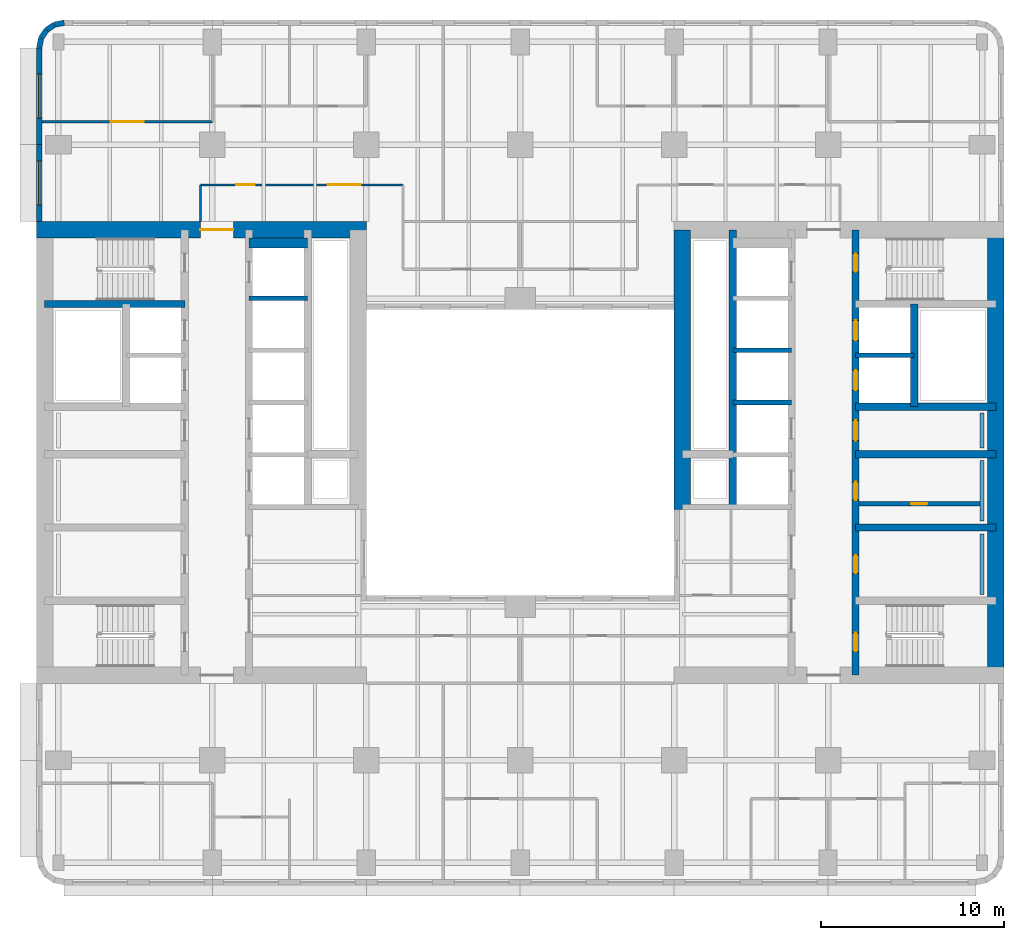
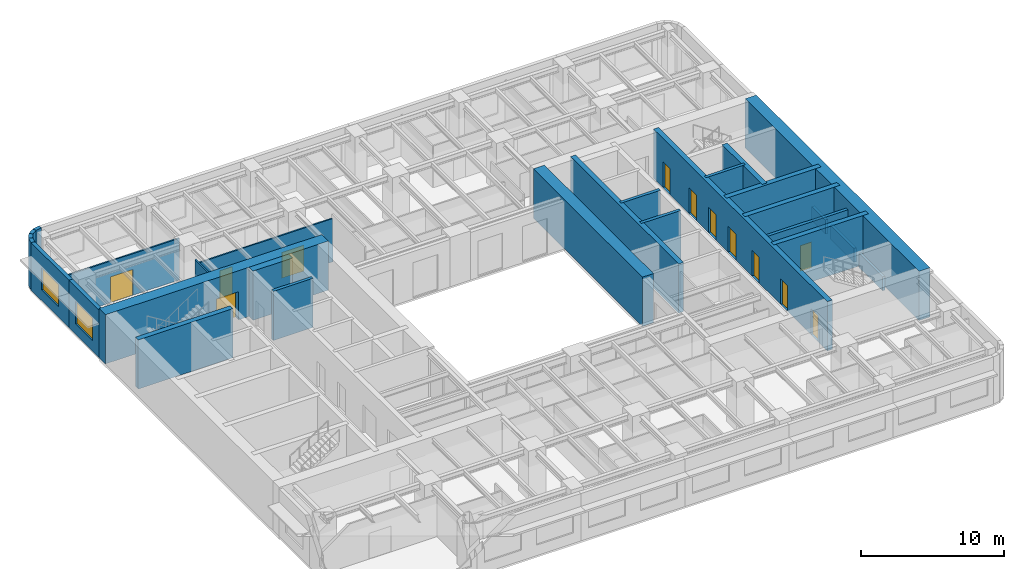
# One storey, part 6 of 11: 28 walls, 12 doors, 2 windows, 14 openings.
"""IFC4 building model written with IfcOpenShell, lengths in metres."""

from ifc_helpers import new_model, si_unit, direction, frame, frame_2d, origin, place, context, subcontext, project, spatial, rectangle, extrude, material, layer, layer_set, type_object, element, fill, save


model = new_model("IFC4")

# Units and contexts
model_context = context("Model", 3, precision=1e-05, world=origin(), true_north=direction((0.0, 1.0)))
body_context = subcontext(model_context, "Body", "Model", "MODEL_VIEW")
ifc_project = project(units=[si_unit("LENGTHUNIT", "METRE"), si_unit("AREAUNIT", "SQUARE_METRE"), si_unit("VOLUMEUNIT", "CUBIC_METRE"), si_unit("PLANEANGLEUNIT", "RADIAN"), si_unit("MASSUNIT", "GRAM", prefix="KILO")], contexts=[model_context])

# Site, building, storey
site_placement = place(None, origin())
site = spatial("IfcSite", under=ifc_project, at=site_placement, CompositionType="ELEMENT")
building_placement = place(site_placement, origin())
building = spatial("IfcBuilding", under=site, at=building_placement, Name="Claustro Exchange Tower", CompositionType="ELEMENT")
storey_placement = place(building_placement, frame((0.0, 0.0, 151.199951171875)))
storey = spatial("IfcBuildingStorey", under=building, at=storey_placement, Name="L34", CompositionType="ELEMENT", Elevation=151.199951171875)

# Wall, opening, door
ifc_material_1 = material(Name="Laminated glass in aluminium frame", Category="aluminium")
ifc_layer_1 = layer(ifc_material_1, 0.1201171875)
ifc_layer_set_1 = layer_set([ifc_layer_1], Name="Laminated glass in aluminium frame")
wall_type_1 = type_object("IfcWallType", Name="P2 120 glazed partition", PredefinedType="PARTITIONING", material=ifc_layer_set_1)
wall_1_placement = place(storey_placement, frame((-0.902099609375, 43.25, 0.0), z_axis=(0.0, 0.0, 1.0), x_axis=(1.0, 0.0, 0.0)))
wall_1 = element("IfcWall", 1, at=wall_1_placement, inside=storey, type_object=wall_type_1, Name="Partition P2 L34", PredefinedType="PARTITIONING", context=body_context, shape_type="SweptSolid", body=[
    extrude(rectangle(XDim=9.302001953125, YDim=0.1201171875, at=frame_2d((4.65087890625, 0.0))), origin(), (0.0, 0.0, 1.0), 3.550048828125),
])
opening_1_placement = place(wall_1_placement, frame((3.751953125, 0.0, 0.0)))
opening_1 = element("IfcOpeningElement", 2, at=opening_1_placement, cuts=wall_1, Name="Opening D2", PredefinedType="OPENING", context=body_context, shape_type="SweptSolid", body=[
    extrude(rectangle(XDim=1.800048828125, YDim=2.199951171875, at=frame_2d((0.89990234375, 1.10009765625))), frame((0.0, 0.070068359375, 0.0), z_axis=(0.0, -1.0, 0.0), x_axis=(1.0, 0.0, 0.0)), (0.0, 0.0, 1.0), 0.14013671875),
])
ifc_material_2 = material(Name="Timber door, oak veneer", Category="wood")
door_type_1 = type_object("IfcDoorType", Name="D2 1800 x 2200 double door", OperationType="DOUBLE_DOOR_SINGLE_SWING", PredefinedType="DOOR", material=ifc_material_2)
door_1_placement = place(opening_1_placement, origin())
door_1 = element("IfcDoor", 3, at=door_1_placement, inside=storey, type_object=door_type_1, Name="Double door D2 L34", OperationType="DOUBLE_DOOR_SINGLE_SWING", OverallHeight=2.199951171875, OverallWidth=1.800048828125, PredefinedType="DOOR", context=body_context, shape_type="SweptSolid", body=[
    extrude(rectangle(XDim=1.800048828125, YDim=2.199951171875, at=frame_2d((0.89990234375, 1.10009765625))), frame((0.0, 0.02490234375, 0.0), z_axis=(0.0, -1.0, 0.0), x_axis=(1.0, 0.0, 0.0)), (0.0, 0.0, 1.0), 0.050048828125),
])
fill(opening_1, door_1)

# Wall, openings, doors
wall_2_placement = place(storey_placement, frame((7.75, 39.800048828125, 0.0), z_axis=(0.0, 0.0, 1.0), x_axis=(1.0, 0.0, 0.0)))
wall_2 = element("IfcWall", 4, at=wall_2_placement, inside=storey, type_object=wall_type_1, Name="Partition P2 L34", PredefinedType="PARTITIONING", context=body_context, shape_type="SweptSolid", body=[
    extrude(rectangle(XDim=11.050048828125, YDim=0.1201171875, at=frame_2d((5.52490234375, 0.0))), origin(), (0.0, 0.0, 1.0), 3.68994140625),
])
opening_2_placement = place(wall_2_placement, frame((1.949951171875, 0.0, 0.0)))
opening_2 = element("IfcOpeningElement", 5, at=opening_2_placement, cuts=wall_2, Name="Opening D7", PredefinedType="OPENING", context=body_context, shape_type="SweptSolid", body=[
    extrude(rectangle(XDim=1.0, YDim=2.39990234375, at=frame_2d((0.5, 1.199951171875))), frame((0.0, 0.070068359375, 0.0), z_axis=(0.0, -1.0, 0.0), x_axis=(1.0, 0.0, 0.0)), (0.0, 0.0, 1.0), 0.14013671875),
])
opening_3_placement = place(wall_2_placement, frame((6.949951171875, 0.0, 0.0)))
opening_3 = element("IfcOpeningElement", 6, at=opening_3_placement, cuts=wall_2, Name="Opening D2", PredefinedType="OPENING", context=body_context, shape_type="SweptSolid", body=[
    extrude(rectangle(XDim=1.800048828125, YDim=2.199951171875, at=frame_2d((0.89990234375, 1.10009765625))), frame((0.0, 0.070068359375, 0.0), z_axis=(0.0, -1.0, 0.0), x_axis=(1.0, 0.0, 0.0)), (0.0, 0.0, 1.0), 0.14013671875),
])
door_2_placement = place(opening_3_placement, origin())
door_2 = element("IfcDoor", 7, at=door_2_placement, inside=storey, type_object=door_type_1, Name="Double door D2 L34", OperationType="DOUBLE_DOOR_SINGLE_SWING", OverallHeight=2.199951171875, OverallWidth=1.800048828125, PredefinedType="DOOR", context=body_context, shape_type="SweptSolid", body=[
    extrude(rectangle(XDim=1.800048828125, YDim=2.199951171875, at=frame_2d((0.89990234375, 1.10009765625))), frame((0.0, 0.02490234375, 0.0), z_axis=(0.0, -1.0, 0.0), x_axis=(1.0, 0.0, 0.0)), (0.0, 0.0, 1.0), 0.050048828125),
])
fill(opening_3, door_2)
ifc_material_3 = material(Name="Glass door in aluminium frame", Category="aluminium")
door_type_2 = type_object("IfcDoorType", Name="D7 1000 x 2400 glazed door", OperationType="SINGLE_SWING_LEFT", PredefinedType="DOOR", material=ifc_material_3)
door_3_placement = place(opening_2_placement, origin())
door_3 = element("IfcDoor", 8, at=door_3_placement, inside=storey, type_object=door_type_2, Name="Door D7 L34", OperationType="SINGLE_SWING_LEFT", OverallHeight=2.39990234375, OverallWidth=1.0, PredefinedType="DOOR", context=body_context, shape_type="SweptSolid", body=[
    extrude(rectangle(XDim=1.0, YDim=2.39990234375, at=frame_2d((0.5, 1.199951171875))), frame((0.0, 0.02490234375, 0.0), z_axis=(0.0, -1.0, 0.0), x_axis=(1.0, 0.0, 0.0)), (0.0, 0.0, 1.0), 0.050048828125),
])
fill(opening_2, door_3)

# Wall
wall_3_placement = place(storey_placement, frame((7.75, 37.800048828125, 0.0), z_axis=(0.0, 0.0, 1.0), x_axis=(0.0, 1.0, 0.0)))
element("IfcWall", 9, at=wall_3_placement, inside=storey, type_object=wall_type_1, Name="Partition P2 L34", PredefinedType="PARTITIONING", context=body_context, shape_type="SweptSolid", body=[
    extrude(rectangle(XDim=2.0, YDim=0.1201171875, at=frame_2d((1.0, 0.0))), origin(), (0.0, 0.0, 1.0), 4.050048828125),
])

# Wall, opening, door
ifc_material_4 = material(Name="Concrete blockwork, rendered", Category="masonry")
ifc_layer_2 = layer(ifc_material_4, 0.25)
ifc_layer_set_2 = layer_set([ifc_layer_2], Name="Concrete blockwork, rendered")
wall_type_2 = type_object("IfcWallType", Name="P4 250 blockwork wall", PredefinedType="PARTITIONING", material=ifc_layer_set_2)
wall_4_placement = place(storey_placement, frame((43.699951171875, 22.39990234375, 0.0), z_axis=(0.0, 0.0, 1.0), x_axis=(1.0, 0.0, 0.0)))
wall_4 = element("IfcWall", 10, at=wall_4_placement, inside=storey, type_object=wall_type_2, Name="Partition P4 L34", PredefinedType="PARTITIONING", context=body_context, shape_type="SweptSolid", body=[
    extrude(rectangle(XDim=6.60009765625, YDim=0.25, at=frame_2d((3.300048828125, 0.0))), origin(), (0.0, 0.0, 1.0), 4.0),
])
opening_4_placement = place(wall_4_placement, frame((2.824951171875, 0.0, 0.0)))
opening_4 = element("IfcOpeningElement", 11, at=opening_4_placement, cuts=wall_4, Name="Opening D5", PredefinedType="OPENING", context=body_context, shape_type="SweptSolid", body=[
    extrude(rectangle(XDim=0.89990234375, YDim=2.199951171875, at=frame_2d((0.449951171875, 1.10009765625))), frame((0.0, 0.135009765625, 0.0), z_axis=(0.0, -1.0, 0.0), x_axis=(1.0, 0.0, 0.0)), (0.0, 0.0, 1.0), 0.27001953125),
])
ifc_material_5 = material(Name="Steel door, painted", Category="steel")
door_type_3 = type_object("IfcDoorType", Name="D5 900 x 2200 store door", OperationType="SINGLE_SWING_LEFT", PredefinedType="DOOR", material=ifc_material_5)
door_4_placement = place(opening_4_placement, frame((0.89990234375, 0.0, 0.0), z_axis=(0.0, 0.0, 1.0), x_axis=(-1.0, 0.0, 0.0)))
door_4 = element("IfcDoor", 12, at=door_4_placement, inside=storey, type_object=door_type_3, Name="Store door D5 L34", OperationType="SINGLE_SWING_LEFT", OverallHeight=2.199951171875, OverallWidth=0.89990234375, PredefinedType="DOOR", context=body_context, shape_type="SweptSolid", body=[
    extrude(rectangle(XDim=0.89990234375, YDim=2.199951171875, at=frame_2d((0.449951171875, 1.10009765625))), frame((0.0, 0.02490234375, 0.0), z_axis=(0.0, -1.0, 0.0), x_axis=(1.0, 0.0, 0.0)), (0.0, 0.0, 1.0), 0.050048828125),
])
fill(opening_4, door_4)

# Wall, opening, window
ifc_material_6 = material(Name="Concrete HA-40 (C40/50), precast, white cement, acid-etched", Category="concrete")
ifc_layer_3 = layer(ifc_material_6, 0.300048828125)
ifc_layer_set_3 = layer_set([ifc_layer_3], Name="Concrete HA-40 (C40/50), precast, white cement, acid-etched")
wall_type_3 = type_object("IfcWallType", Name="PC1 300 precast concrete pier panel", PredefinedType="SOLIDWALL", material=ifc_layer_set_3)
wall_5_placement = place(storey_placement, frame((-1.050048828125, 37.800048828125, 0.0), z_axis=(0.0, 0.0, 1.0), x_axis=(0.0, 1.0, 0.0)))
wall_5 = element("IfcWall", 13, at=wall_5_placement, inside=storey, type_object=wall_type_3, Name="Precast pier panel PC1 L34", PredefinedType="SOLIDWALL", context=body_context, shape_type="SweptSolid", body=[
    extrude(rectangle(XDim=4.199951171875, YDim=0.300048828125, at=frame_2d((2.10009765625, 0.0))), origin(), (0.0, 0.0, 1.0), 4.050048828125),
])
opening_5_placement = place(wall_5_placement, frame((0.89990234375, 0.0, 0.89990234375)))
opening_5 = element("IfcOpeningElement", 14, at=opening_5_placement, cuts=wall_5, Name="Opening W2", PredefinedType="OPENING", context=body_context, shape_type="SweptSolid", body=[
    extrude(rectangle(XDim=2.39990234375, YDim=1.89990234375, at=frame_2d((1.199951171875, 0.949951171875))), frame((0.0, 0.159912109375, 0.0), z_axis=(0.0, -1.0, 0.0), x_axis=(1.0, 0.0, 0.0)), (0.0, 0.0, 1.0), 0.320068359375),
])
ifc_material_7 = material(Name="Aluminium frame, clear double glazing", Category="aluminium")
window_type = type_object("IfcWindowType", Name="W2 2400 x 1900 window", PartitioningType="SINGLE_PANEL", PredefinedType="WINDOW", material=ifc_material_7)
window_1_placement = place(opening_5_placement, origin())
window_1 = element("IfcWindow", 15, at=window_1_placement, inside=storey, type_object=window_type, Name="Window W2 L34", OverallHeight=1.89990234375, OverallWidth=2.39990234375, PartitioningType="SINGLE_PANEL", PredefinedType="WINDOW", context=body_context, shape_type="SweptSolid", body=[
    extrude(rectangle(XDim=2.39990234375, YDim=1.89990234375, at=frame_2d((1.199951171875, 0.949951171875))), frame((0.0, 0.030029296875, 0.0), z_axis=(0.0, -1.0, 0.0), x_axis=(1.0, 0.0, 0.0)), (0.0, 0.0, 1.0), 0.06005859375),
])
fill(opening_5, window_1)

wall_6_placement = place(storey_placement, frame((-1.050048828125, 42.0, 0.0), z_axis=(0.0, 0.0, 1.0), x_axis=(0.0, 1.0, 0.0)))
wall_6 = element("IfcWall", 16, at=wall_6_placement, inside=storey, type_object=wall_type_3, Name="Precast pier panel PC1 L34", PredefinedType="SOLIDWALL", context=body_context, shape_type="SweptSolid", body=[
    extrude(rectangle(XDim=5.28515625, YDim=0.300048828125, at=frame_2d((2.642578125, 0.0))), origin(), (0.0, 0.0, 1.0), 4.050048828125),
])
opening_6_placement = place(wall_6_placement, frame((1.442626953125, 0.0, 0.89990234375)))
opening_6 = element("IfcOpeningElement", 17, at=opening_6_placement, cuts=wall_6, Name="Opening W2", PredefinedType="OPENING", context=body_context, shape_type="SweptSolid", body=[
    extrude(rectangle(XDim=2.39990234375, YDim=1.89990234375, at=frame_2d((1.199951171875, 0.949951171875))), frame((0.0, 0.159912109375, 0.0), z_axis=(0.0, -1.0, 0.0), x_axis=(1.0, 0.0, 0.0)), (0.0, 0.0, 1.0), 0.320068359375),
])
window_2_placement = place(opening_6_placement, origin())
window_2 = element("IfcWindow", 18, at=window_2_placement, inside=storey, type_object=window_type, Name="Window W2 L34", OverallHeight=1.89990234375, OverallWidth=2.39990234375, PartitioningType="SINGLE_PANEL", PredefinedType="WINDOW", context=body_context, shape_type="SweptSolid", body=[
    extrude(rectangle(XDim=2.39990234375, YDim=1.89990234375, at=frame_2d((1.199951171875, 0.949951171875))), frame((0.0, 0.030029296875, 0.0), z_axis=(0.0, -1.0, 0.0), x_axis=(1.0, 0.0, 0.0)), (0.0, 0.0, 1.0), 0.06005859375),
])
fill(opening_6, window_2)

# Walls
wall_7_placement = place(storey_placement, frame((-1.050048828125, 47.28515625, 0.0), z_axis=(0.0, 0.0, 1.0), x_axis=(0.195073962632, 0.980788534345, 0.0)))
element("IfcWall", 19, at=wall_7_placement, inside=storey, type_object=wall_type_3, Name="Precast pier panel PC1 L34", PredefinedType="SOLIDWALL", context=body_context, shape_type="SweptSolid", body=[
    extrude(rectangle(XDim=0.540771484375, YDim=0.300048828125, at=frame_2d((0.2705078125, 0.0))), origin(), (0.0, 0.0, 1.0), 4.050048828125),
])
wall_8_placement = place(storey_placement, frame((-0.944580078125, 47.8154296875, 0.0), z_axis=(0.0, 0.0, 1.0), x_axis=(0.55534295404, 0.831621430339, 0.0)))
element("IfcWall", 20, at=wall_8_placement, inside=storey, type_object=wall_type_3, Name="Precast pier panel PC1 L34", PredefinedType="SOLIDWALL", context=body_context, shape_type="SweptSolid", body=[
    extrude(rectangle(XDim=0.52587890625, YDim=0.300048828125, at=frame_2d((0.262939453125, 0.0))), origin(), (0.0, 0.0, 1.0), 4.050048828125),
])
wall_9_placement = place(storey_placement, frame((-0.652587890625, 48.252685546875, 0.0), z_axis=(0.0, 0.0, 1.0), x_axis=(0.831692711774, 0.555236195849, 0.0)))
element("IfcWall", 21, at=wall_9_placement, inside=storey, type_object=wall_type_3, Name="Precast pier panel PC1 L34", PredefinedType="SOLIDWALL", context=body_context, shape_type="SweptSolid", body=[
    extrude(rectangle(XDim=0.525390625, YDim=0.300048828125, at=frame_2d((0.2626953125, 0.0))), origin(), (0.0, 0.0, 1.0), 4.050048828125),
])
wall_10_placement = place(storey_placement, frame((-0.215576171875, 48.54443359375, 0.0), z_axis=(0.0, 0.0, 1.0), x_axis=(0.980788534345, 0.195073962632, 0.0)))
element("IfcWall", 22, at=wall_10_placement, inside=storey, type_object=wall_type_3, Name="Precast pier panel PC1 L34", PredefinedType="SOLIDWALL", context=body_context, shape_type="SweptSolid", body=[
    extrude(rectangle(XDim=0.540771484375, YDim=0.300048828125, at=frame_2d((0.2705078125, 0.0))), origin(), (0.0, 0.0, 1.0), 4.050048828125),
])
ifc_material_8 = material(Name="Gypsum board on steel studs, tiled", Category="steel")
ifc_layer_4 = layer(ifc_material_8, 0.199951171875)
ifc_layer_set_4 = layer_set([ifc_layer_4], Name="Gypsum board on steel studs, tiled")
wall_type_4 = type_object("IfcWallType", Name="PW1 200 WC duct wall", PredefinedType="PLUMBINGWALL", material=ifc_layer_set_4)
for number, where, z_axis, x_axis, name in (
    (23, (50.39990234375, 17.449951171875, 0.0), (0.0, 0.0, 1.0), (0.0, 1.0, 0.0), "WC duct wall PW1 L34"),
    (24, (50.39990234375, 21.449951171875, 0.0), (0.0, 0.0, 1.0), (0.0, 1.0, 0.0), "WC duct wall PW1 L34"),
):
    element("IfcWall", number, at=place(storey_placement, frame(where, z_axis=z_axis, x_axis=x_axis)), inside=storey, type_object=wall_type_4, Name=name, PredefinedType="PLUMBINGWALL", context=body_context, shape_type="SweptSolid", body=[
        extrude(rectangle(XDim=3.300048828125, YDim=0.199951171875, at=frame_2d((1.64990234375, 0.0))), origin(), (0.0, 0.0, 1.0), 1.199951171875),
    ])
wall_11_placement = place(storey_placement, frame((50.39990234375, 25.449951171875, 0.0), z_axis=(0.0, 0.0, 1.0), x_axis=(0.0, 1.0, 0.0)))
element("IfcWall", 25, at=wall_11_placement, inside=storey, type_object=wall_type_4, Name="WC duct wall PW1 L34", PredefinedType="PLUMBINGWALL", context=body_context, shape_type="SweptSolid", body=[
    extrude(rectangle(XDim=1.900146484375, YDim=0.199951171875, at=frame_2d((0.9501953125, 0.0))), origin(), (0.0, 0.0, 1.0), 1.199951171875),
])

# Wall, opening, door
ifc_material_9 = material(Name="Concrete HA-70 (C70/85)", Category="concrete")
ifc_layer_5 = layer(ifc_material_9, 0.89990234375)
ifc_layer_set_5 = layer_set([ifc_layer_5], Name="Concrete HA-70 (C70/85)")
wall_type_5 = type_object("IfcWallType", Name="SW1 900 core shear wall", PredefinedType="SHEAR", material=ifc_layer_set_5)
wall_12_placement = place(storey_placement, frame((-1.199951171875, 37.35009765625, 0.0), z_axis=(0.0, 0.0, 1.0), x_axis=(1.0, 0.0, 0.0)))
wall_12 = element("IfcWall", 26, at=wall_12_placement, inside=storey, type_object=wall_type_5, Name="Core wall SW1 W core N face L34", PredefinedType="SHEAR", context=body_context, shape_type="SweptSolid", body=[
    extrude(rectangle(XDim=18.0, YDim=0.89990234375, at=frame_2d((9.0, 0.0))), origin(), (0.0, 0.0, 1.0), 4.199951171875),
])
opening_7_placement = place(wall_12_placement, frame((8.949951171875, 0.0, 0.0)))
opening_7 = element("IfcOpeningElement", 27, at=opening_7_placement, cuts=wall_12, Name="Opening D3", PredefinedType="OPENING", context=body_context, shape_type="SweptSolid", body=[
    extrude(rectangle(XDim=1.800048828125, YDim=2.39990234375, at=frame_2d((0.89990234375, 1.199951171875))), frame((0.0, 0.4599609375, 0.0), z_axis=(0.0, -1.0, 0.0), x_axis=(1.0, 0.0, 0.0)), (0.0, 0.0, 1.0), 0.919921875),
])
ifc_material_10 = material(Name="Steel fire door, painted", Category="steel")
door_type_4 = type_object("IfcDoorType", Name="D3 1800 x 2400 fire-rated lobby double door", OperationType="DOUBLE_DOOR_SINGLE_SWING", PredefinedType="DOOR", material=ifc_material_10)
door_5_placement = place(opening_7_placement, frame((1.800048828125, 0.0, 0.0), z_axis=(0.0, 0.0, 1.0), x_axis=(-1.0, 0.0, 0.0)))
door_5 = element("IfcDoor", 28, at=door_5_placement, inside=storey, type_object=door_type_4, Name="Lift lobby door D3 L34", OperationType="DOUBLE_DOOR_SINGLE_SWING", OverallHeight=2.39990234375, OverallWidth=1.800048828125, PredefinedType="DOOR", context=body_context, shape_type="SweptSolid", body=[
    extrude(rectangle(XDim=1.800048828125, YDim=2.39990234375, at=frame_2d((0.89990234375, 1.199951171875))), frame((0.0, 0.02490234375, 0.0), z_axis=(0.0, -1.0, 0.0), x_axis=(1.0, 0.0, 0.0)), (0.0, 0.0, 1.0), 0.050048828125),
])
fill(opening_7, door_5)

# Walls
ifc_material_11 = material(Name="Concrete HA-70 (C70/85)", Category="concrete")
ifc_layer_6 = layer(ifc_material_11, 0.89990234375)
ifc_layer_set_6 = layer_set([ifc_layer_6], Name="Concrete HA-70 (C70/85)")
wall_type_6 = type_object("IfcWallType", Name="SW1X 900 exposed core shear wall, board-marked face", PredefinedType="SHEAR", material=ifc_layer_set_6)
wall_13_placement = place(storey_placement, frame((34.050048828125, 22.10009765625, 0.0), z_axis=(0.0, 0.0, 1.0), x_axis=(0.0, 1.0, 0.0)))
element("IfcWall", 29, at=wall_13_placement, inside=storey, type_object=wall_type_6, Name="Core wall SW1X E core W face L34", PredefinedType="SHEAR", context=body_context, shape_type="SweptSolid", body=[
    extrude(rectangle(XDim=15.25, YDim=0.89990234375, at=frame_2d((7.625, 0.0))), origin(), (0.0, 0.0, 1.0), 4.199951171875),
])
wall_14_placement = place(storey_placement, frame((51.14990234375, 13.050048828125, 0.0), z_axis=(0.0, 0.0, 1.0), x_axis=(0.0, 1.0, 0.0)))
element("IfcWall", 30, at=wall_14_placement, inside=storey, type_object=wall_type_6, Name="Core wall SW1X E core E face L34", PredefinedType="SHEAR", context=body_context, shape_type="SweptSolid", body=[
    extrude(rectangle(XDim=24.300048828125, YDim=0.89990234375, at=frame_2d((12.14990234375, 0.0))), origin(), (0.0, 0.0, 1.0), 4.199951171875),
])
ifc_material_12 = material(Name="Concrete HA-50 (C50/60)", Category="concrete")
ifc_layer_7 = layer(ifc_material_12, 0.39990234375)
ifc_layer_set_7 = layer_set([ifc_layer_7], Name="Concrete HA-50 (C50/60)")
wall_type_7 = type_object("IfcWallType", Name="SW4 400 internal core wall", PredefinedType="SHEAR", material=ifc_layer_set_7)
wall_15_placement = place(storey_placement, frame((-0.75, 33.300048828125, 0.0), z_axis=(0.0, 0.0, 1.0), x_axis=(1.0, 0.0, 0.0)))
element("IfcWall", 31, at=wall_15_placement, inside=storey, type_object=wall_type_7, Name="Internal core wall SW4 W core L34", PredefinedType="SHEAR", context=body_context, shape_type="SweptSolid", body=[
    extrude(rectangle(XDim=7.64990234375, YDim=0.39990234375, at=frame_2d((3.824951171875, 0.0))), origin(), (0.0, 0.0, 1.0), 4.199951171875),
])

# Wall, openings, doors
wall_16_placement = place(storey_placement, frame((43.5, 13.050048828125, 0.0), z_axis=(0.0, 0.0, 1.0), x_axis=(0.0, 1.0, 0.0)))
wall_16 = element("IfcWall", 32, at=wall_16_placement, inside=storey, type_object=wall_type_7, Name="Internal core wall SW4 E core L34", PredefinedType="SHEAR", context=body_context, shape_type="SweptSolid", body=[
    extrude(rectangle(XDim=24.300048828125, YDim=0.39990234375, at=frame_2d((12.14990234375, 0.0))), origin(), (0.0, 0.0, 1.0), 4.199951171875),
])
opening_8_placement = place(wall_16_placement, frame((1.300048828125, 0.0, 0.0)))
opening_8 = element("IfcOpeningElement", 33, at=opening_8_placement, cuts=wall_16, Name="Opening D4", PredefinedType="OPENING", context=body_context, shape_type="SweptSolid", body=[
    extrude(rectangle(XDim=1.0, YDim=2.199951171875, at=frame_2d((0.5, 1.10009765625))), frame((0.0, 0.2099609375, 0.0), z_axis=(0.0, -1.0, 0.0), x_axis=(1.0, 0.0, 0.0)), (0.0, 0.0, 1.0), 0.419921875),
])
opening_9_placement = place(wall_16_placement, frame((22.0, 0.0, 0.0)))
opening_9 = element("IfcOpeningElement", 34, at=opening_9_placement, cuts=wall_16, Name="Opening D4", PredefinedType="OPENING", context=body_context, shape_type="SweptSolid", body=[
    extrude(rectangle(XDim=1.0, YDim=2.199951171875, at=frame_2d((0.5, 1.10009765625))), frame((0.0, 0.2099609375, 0.0), z_axis=(0.0, -1.0, 0.0), x_axis=(1.0, 0.0, 0.0)), (0.0, 0.0, 1.0), 0.419921875),
])
opening_10_placement = place(wall_16_placement, frame((5.550048828125, 0.0, 0.0)))
opening_10 = element("IfcOpeningElement", 35, at=opening_10_placement, cuts=wall_16, Name="Opening D1", PredefinedType="OPENING", context=body_context, shape_type="SweptSolid", body=[
    extrude(rectangle(XDim=1.0, YDim=2.199951171875, at=frame_2d((0.5, 1.10009765625))), frame((0.0, 0.2099609375, 0.0), z_axis=(0.0, -1.0, 0.0), x_axis=(1.0, 0.0, 0.0)), (0.0, 0.0, 1.0), 0.419921875),
])
opening_11_placement = place(wall_16_placement, frame((9.550048828125, 0.0, 0.0)))
opening_11 = element("IfcOpeningElement", 36, at=opening_11_placement, cuts=wall_16, Name="Opening D1", PredefinedType="OPENING", context=body_context, shape_type="SweptSolid", body=[
    extrude(rectangle(XDim=1.0, YDim=2.199951171875, at=frame_2d((0.5, 1.10009765625))), frame((0.0, 0.2099609375, 0.0), z_axis=(0.0, -1.0, 0.0), x_axis=(1.0, 0.0, 0.0)), (0.0, 0.0, 1.0), 0.419921875),
])
opening_12_placement = place(wall_16_placement, frame((12.800048828125, 0.0, 0.0)))
opening_12 = element("IfcOpeningElement", 37, at=opening_12_placement, cuts=wall_16, Name="Opening D10", PredefinedType="OPENING", context=body_context, shape_type="SweptSolid", body=[
    extrude(rectangle(XDim=1.10009765625, YDim=2.199951171875, at=frame_2d((0.550048828125, 1.10009765625))), frame((0.0, 0.2099609375, 0.0), z_axis=(0.0, -1.0, 0.0), x_axis=(1.0, 0.0, 0.0)), (0.0, 0.0, 1.0), 0.419921875),
])
opening_13_placement = place(wall_16_placement, frame((15.53759765625, 0.0, 0.0)))
opening_13 = element("IfcOpeningElement", 38, at=opening_13_placement, cuts=wall_16, Name="Opening LD", PredefinedType="OPENING", context=body_context, shape_type="SweptSolid", body=[
    extrude(rectangle(XDim=1.10009765625, YDim=2.199951171875, at=frame_2d((0.550048828125, 1.10009765625))), frame((0.0, 0.2099609375, 0.0), z_axis=(0.0, -1.0, 0.0), x_axis=(1.0, 0.0, 0.0)), (0.0, 0.0, 1.0), 0.419921875),
])
opening_14_placement = place(wall_16_placement, frame((18.262451171875, 0.0, 0.0)))
opening_14 = element("IfcOpeningElement", 39, at=opening_14_placement, cuts=wall_16, Name="Opening LD", PredefinedType="OPENING", context=body_context, shape_type="SweptSolid", body=[
    extrude(rectangle(XDim=1.10009765625, YDim=2.199951171875, at=frame_2d((0.550048828125, 1.10009765625))), frame((0.0, 0.2099609375, 0.0), z_axis=(0.0, -1.0, 0.0), x_axis=(1.0, 0.0, 0.0)), (0.0, 0.0, 1.0), 0.419921875),
])
ifc_material_13 = material(Name="Timber door, oak veneer", Category="wood")
door_type_5 = type_object("IfcDoorType", Name="D1 1000 x 2200 single door", OperationType="SINGLE_SWING_LEFT", PredefinedType="DOOR", material=ifc_material_13)
door_6_placement = place(opening_10_placement, frame((1.0, 0.0, 0.0), z_axis=(0.0, 0.0, 1.0), x_axis=(-1.0, 0.0, 0.0)))
door_6 = element("IfcDoor", 40, at=door_6_placement, inside=storey, type_object=door_type_5, Name="Door D1 L34", OperationType="SINGLE_SWING_LEFT", OverallHeight=2.199951171875, OverallWidth=1.0, PredefinedType="DOOR", context=body_context, shape_type="SweptSolid", body=[
    extrude(rectangle(XDim=1.0, YDim=2.199951171875, at=frame_2d((0.5, 1.10009765625))), frame((0.0, 0.02490234375, 0.0), z_axis=(0.0, -1.0, 0.0), x_axis=(1.0, 0.0, 0.0)), (0.0, 0.0, 1.0), 0.050048828125),
])
fill(opening_10, door_6)
door_7_placement = place(opening_11_placement, frame((1.0, 0.0, 0.0), z_axis=(0.0, 0.0, 1.0), x_axis=(-1.0, 0.0, 0.0)))
door_7 = element("IfcDoor", 41, at=door_7_placement, inside=storey, type_object=door_type_5, Name="Door D1 L34", OperationType="SINGLE_SWING_RIGHT", OverallHeight=2.199951171875, OverallWidth=1.0, PredefinedType="DOOR", context=body_context, shape_type="SweptSolid", body=[
    extrude(rectangle(XDim=1.0, YDim=2.199951171875, at=frame_2d((0.5, 1.10009765625))), frame((0.0, 0.02490234375, 0.0), z_axis=(0.0, -1.0, 0.0), x_axis=(1.0, 0.0, 0.0)), (0.0, 0.0, 1.0), 0.050048828125),
])
fill(opening_11, door_7)
ifc_material_14 = material(Name="Timber door, oak veneer", Category="wood")
door_type_6 = type_object("IfcDoorType", Name="D10 1100 x 2200 accessible WC door", OperationType="SINGLE_SWING_LEFT", PredefinedType="DOOR", material=ifc_material_14)
door_8_placement = place(opening_12_placement, origin())
door_8 = element("IfcDoor", 42, at=door_8_placement, inside=storey, type_object=door_type_6, Name="Accessible WC door D10 L34", OperationType="SINGLE_SWING_RIGHT", OverallHeight=2.199951171875, OverallWidth=1.10009765625, PredefinedType="DOOR", context=body_context, shape_type="SweptSolid", body=[
    extrude(rectangle(XDim=1.10009765625, YDim=2.199951171875, at=frame_2d((0.550048828125, 1.10009765625))), frame((0.0, 0.02490234375, 0.0), z_axis=(0.0, -1.0, 0.0), x_axis=(1.0, 0.0, 0.0)), (0.0, 0.0, 1.0), 0.050048828125),
])
fill(opening_12, door_8)
ifc_material_15 = material(Name="Steel fire door, painted", Category="steel")
door_type_7 = type_object("IfcDoorType", Name="D4 1000 x 2200 fire-rated stair door", OperationType="SINGLE_SWING_LEFT", PredefinedType="DOOR", material=ifc_material_15)
door_9_placement = place(opening_8_placement, frame((1.0, 0.0, 0.0), z_axis=(0.0, 0.0, 1.0), x_axis=(-1.0, 0.0, 0.0)))
door_9 = element("IfcDoor", 43, at=door_9_placement, inside=storey, type_object=door_type_7, Name="Stair door D4 L34", OperationType="SINGLE_SWING_RIGHT", OverallHeight=2.199951171875, OverallWidth=1.0, PredefinedType="DOOR", context=body_context, shape_type="SweptSolid", body=[
    extrude(rectangle(XDim=1.0, YDim=2.199951171875, at=frame_2d((0.5, 1.10009765625))), frame((0.0, 0.02490234375, 0.0), z_axis=(0.0, -1.0, 0.0), x_axis=(1.0, 0.0, 0.0)), (0.0, 0.0, 1.0), 0.050048828125),
])
fill(opening_8, door_9)
door_10_placement = place(opening_9_placement, frame((1.0, 0.0, 0.0), z_axis=(0.0, 0.0, 1.0), x_axis=(-1.0, 0.0, 0.0)))
door_10 = element("IfcDoor", 44, at=door_10_placement, inside=storey, type_object=door_type_7, Name="Stair door D4 L34", OperationType="SINGLE_SWING_LEFT", OverallHeight=2.199951171875, OverallWidth=1.0, PredefinedType="DOOR", context=body_context, shape_type="SweptSolid", body=[
    extrude(rectangle(XDim=1.0, YDim=2.199951171875, at=frame_2d((0.5, 1.10009765625))), frame((0.0, 0.02490234375, 0.0), z_axis=(0.0, -1.0, 0.0), x_axis=(1.0, 0.0, 0.0)), (0.0, 0.0, 1.0), 0.050048828125),
])
fill(opening_9, door_10)
ifc_material_16 = material(Name="Stainless steel sliding door", Category="steel")
door_type_8 = type_object("IfcDoorType", Name="LD 1100 x 2200 lift landing door", OperationType="DOUBLE_DOOR_SLIDING", PredefinedType="DOOR", material=ifc_material_16)
door_11_placement = place(opening_13_placement, origin())
door_11 = element("IfcDoor", 45, at=door_11_placement, inside=storey, type_object=door_type_8, Name="Lift landing door LEE1 LD L34", OperationType="DOUBLE_DOOR_SLIDING", OverallHeight=2.199951171875, OverallWidth=1.10009765625, PredefinedType="DOOR", context=body_context, shape_type="SweptSolid", body=[
    extrude(rectangle(XDim=1.10009765625, YDim=2.199951171875, at=frame_2d((0.550048828125, 1.10009765625))), frame((0.0, 0.02490234375, 0.0), z_axis=(0.0, -1.0, 0.0), x_axis=(1.0, 0.0, 0.0)), (0.0, 0.0, 1.0), 0.050048828125),
])
fill(opening_13, door_11)
door_12_placement = place(opening_14_placement, origin())
door_12 = element("IfcDoor", 46, at=door_12_placement, inside=storey, type_object=door_type_8, Name="Lift landing door LEE2 LD L34", OperationType="DOUBLE_DOOR_SLIDING", OverallHeight=2.199951171875, OverallWidth=1.10009765625, PredefinedType="DOOR", context=body_context, shape_type="SweptSolid", body=[
    extrude(rectangle(XDim=1.10009765625, YDim=2.199951171875, at=frame_2d((0.550048828125, 1.10009765625))), frame((0.0, 0.02490234375, 0.0), z_axis=(0.0, -1.0, 0.0), x_axis=(1.0, 0.0, 0.0)), (0.0, 0.0, 1.0), 0.050048828125),
])
fill(opening_14, door_12)

# Walls
wall_17_placement = place(storey_placement, frame((36.800048828125, 22.22509765625, 0.0), z_axis=(0.0, 0.0, 1.0), x_axis=(0.0, 1.0, 0.0)))
element("IfcWall", 47, at=wall_17_placement, inside=storey, type_object=wall_type_7, Name="Internal core wall SW4 E core L34", PredefinedType="SHEAR", context=body_context, shape_type="SweptSolid", body=[
    extrude(rectangle(XDim=15.125, YDim=0.39990234375, at=frame_2d((7.5625, 0.0))), origin(), (0.0, 0.0, 1.0), 4.199951171875),
])
for number, where, z_axis, x_axis, name in (
    (48, (51.14990234375, 21.10009765625, 0.0), (0.0, 0.0, 1.0), (-1.0, 0.0, 0.0), "Internal core wall SW4 E core L34"),
    (49, (51.14990234375, 25.10009765625, 0.0), (0.0, 0.0, 1.0), (-1.0, 0.0, 0.0), "Internal core wall SW4 E core L34"),
    (50, (51.14990234375, 27.699951171875, 0.0), (0.0, 0.0, 1.0), (-1.0, 0.0, 0.0), "Internal core wall SW4 E core L34"),
):
    element("IfcWall", number, at=place(storey_placement, frame(where, z_axis=z_axis, x_axis=x_axis)), inside=storey, type_object=wall_type_7, Name=name, PredefinedType="SHEAR", context=body_context, shape_type="SweptSolid", body=[
        extrude(rectangle(XDim=7.64990234375, YDim=0.39990234375, at=frame_2d((3.824951171875, 0.0))), origin(), (0.0, 0.0, 1.0), 4.199951171875),
    ])
wall_18_placement = place(storey_placement, frame((46.699951171875, 27.699951171875, 0.0), z_axis=(0.0, 0.0, 1.0), x_axis=(0.0, 1.0, 0.0)))
element("IfcWall", 51, at=wall_18_placement, inside=storey, type_object=wall_type_7, Name="Internal core wall SW4 E core L34", PredefinedType="SHEAR", context=body_context, shape_type="SweptSolid", body=[
    extrude(rectangle(XDim=5.60009765625, YDim=0.39990234375, at=frame_2d((2.800048828125, 0.0))), origin(), (0.0, 0.0, 1.0), 4.199951171875),
])
ifc_material_17 = material(Name="Concrete HA-50 (C50/60)", Category="concrete")
ifc_layer_8 = layer(ifc_material_17, 0.25)
ifc_layer_set_8 = layer_set([ifc_layer_8], Name="Concrete HA-50 (C50/60)")
wall_type_8 = type_object("IfcWallType", Name="SW5 250 lift shaft divider wall", PredefinedType="SHEAR", material=ifc_layer_set_8)
wall_19_placement = place(storey_placement, frame((10.39990234375, 33.625, 0.0), z_axis=(0.0, 0.0, 1.0), x_axis=(1.0, 0.0, 0.0)))
element("IfcWall", 52, at=wall_19_placement, inside=storey, type_object=wall_type_8, Name="Lift shaft wall W core L34", PredefinedType="SHEAR", context=body_context, shape_type="SweptSolid", body=[
    extrude(rectangle(XDim=3.2001953125, YDim=0.25, at=frame_2d((1.60009765625, 0.0))), origin(), (0.0, 0.0, 1.0), 4.199951171875),
])
for number, where, z_axis, x_axis, name in (
    (53, (46.699951171875, 30.5, 0.0), (0.0, 0.0, 1.0), (-1.0, 0.0, 0.0), "Lift shaft wall E core L34"),
    (54, (40.0, 27.925048828125, 0.0), (0.0, 0.0, 1.0), (-1.0, 0.0, 0.0), "Lift shaft wall E core L34"),
    (55, (40.0, 30.77490234375, 0.0), (0.0, 0.0, 1.0), (-1.0, 0.0, 0.0), "Lift shaft wall E core L34"),
):
    element("IfcWall", number, at=place(storey_placement, frame(where, z_axis=z_axis, x_axis=x_axis)), inside=storey, type_object=wall_type_8, Name=name, PredefinedType="SHEAR", context=body_context, shape_type="SweptSolid", body=[
        extrude(rectangle(XDim=3.199951171875, YDim=0.25, at=frame_2d((1.60009765625, 0.0))), origin(), (0.0, 0.0, 1.0), 4.199951171875),
    ])
ifc_material_18 = material(Name="Concrete HA-50 (C50/60)", Category="concrete")
ifc_layer_9 = layer(ifc_material_18, 0.550048828125)
ifc_layer_set_9 = layer_set([ifc_layer_9], Name="Concrete HA-50 (C50/60)")
wall_type_9 = type_object("IfcWallType", Name="SW6 550 lift shaft end wall", PredefinedType="SHEAR", material=ifc_layer_set_9)
wall_20_placement = place(storey_placement, frame((10.39990234375, 36.625, 0.0), z_axis=(0.0, 0.0, 1.0), x_axis=(1.0, 0.0, 0.0)))
element("IfcWall", 56, at=wall_20_placement, inside=storey, type_object=wall_type_9, Name="Lift shaft wall W core L34", PredefinedType="SHEAR", context=body_context, shape_type="SweptSolid", body=[
    extrude(rectangle(XDim=3.2001953125, YDim=0.550048828125, at=frame_2d((1.60009765625, 0.0))), origin(), (0.0, 0.0, 1.0), 4.199951171875),
])

save(model, "model.ifc")
